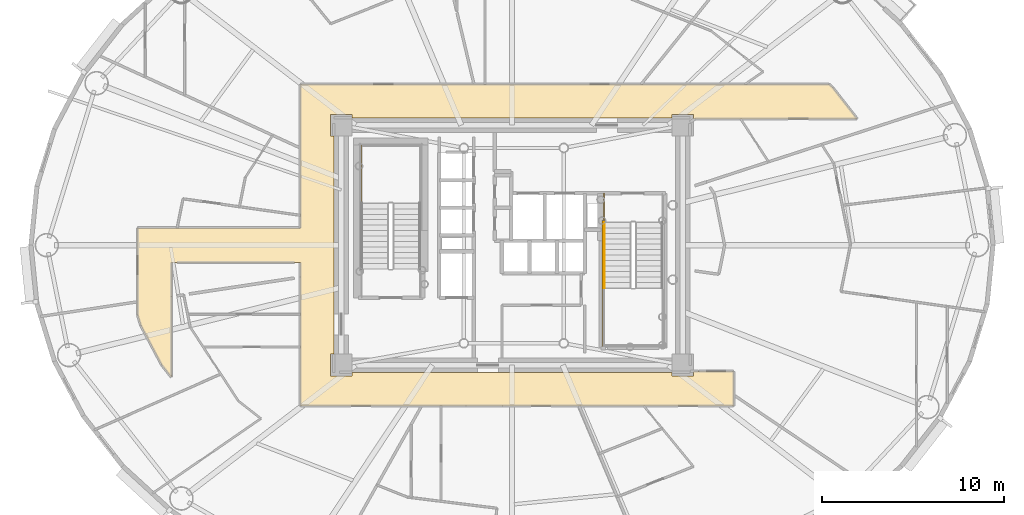
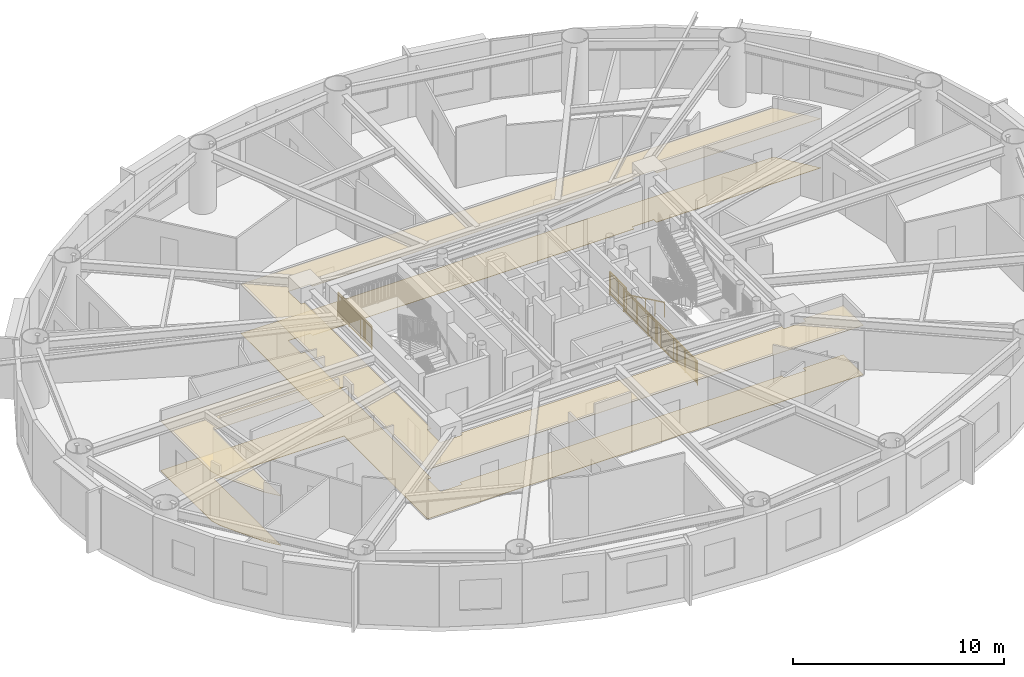
# One storey, part 14 of 18: 4 railings, 2 coverings.
"""IFC4 building model written with IfcOpenShell, lengths in metres."""

from ifc_helpers import new_model, si_unit, direction, frame, origin, origin_2d, place, context, subcontext, project, spatial, polyline, rectangle, outline, extrude, source, transform, mapped, material, layer, layer_set, type_object, element, save


model = new_model("IFC4")

# Units and contexts
model_context = context("Model", 3, precision=1e-05, world=origin(), true_north=direction((0.0, 1.0)))
body_context = subcontext(model_context, "Body", "Model", "MODEL_VIEW")
ifc_project = project(units=[si_unit("LENGTHUNIT", "METRE"), si_unit("AREAUNIT", "SQUARE_METRE"), si_unit("VOLUMEUNIT", "CUBIC_METRE"), si_unit("PLANEANGLEUNIT", "RADIAN"), si_unit("MASSUNIT", "GRAM", prefix="KILO")], contexts=[model_context])

# Site, building, storey
site_placement = place(None, origin())
site = spatial("IfcSite", under=ifc_project, at=site_placement, CompositionType="ELEMENT")
building_placement = place(site_placement, origin())
building = spatial("IfcBuilding", under=site, at=building_placement, Name="Linh Dai School and Residence Tower", CompositionType="ELEMENT")
storey_placement = place(building_placement, frame((0.0, 0.0, 159.89990234375)))
storey = spatial("IfcBuildingStorey", under=building, at=storey_placement, Name="L38", CompositionType="ELEMENT", Elevation=159.89990234375)

# Coverings
ifc_material_1 = material(Name="Mineral Fibre Acoustic Suspended Ceiling", Category="masonry")
ifc_layer_1 = layer(ifc_material_1, 0.02001953125)
ifc_layer_set_1 = layer_set([ifc_layer_1], Name="Mineral Fibre Acoustic Suspended Ceiling")
covering_type_1 = type_object("IfcCoveringType", Name="COV-CEIL-AC-20", PredefinedType="CEILING", material=ifc_layer_set_1)
covering_1_placement = place(storey_placement, frame((0.0, 0.0, 2.85009765625)))
element("IfcCovering", 1, at=covering_1_placement, inside=storey, type_object=covering_type_1, Name="L38 Residential Floor Corridor Suspended Ceiling", PredefinedType="CEILING", context=body_context, shape_type="SweptSolid", body=[
    extrude(outline(polyline([(17.25, 19.734375), (16.720458984375, 20.410888671875), (15.57421875, 22.577880859375), (15.39990234375, 23.14599609375), (15.39990234375, 27.949951171875), (24.35009765625, 27.949951171875), (24.35009765625, 35.85009765625), (53.453857421875, 35.85009765625), (53.6533203125, 35.6669921875), (54.9970703125, 33.949951171875), (46.0, 33.949951171875), (46.0, 34.199951171875), (44.800048828125, 34.199951171875), (44.800048828125, 34.0), (27.199951171875, 34.0), (27.199951171875, 34.199951171875), (26.0, 34.199951171875), (26.0, 33.0), (26.199951171875, 33.0), (26.199951171875, 21.0), (26.0, 21.0), (26.0, 19.800048828125), (27.199951171875, 19.800048828125), (27.199951171875, 20.0), (44.800048828125, 20.0), (44.800048828125, 19.800048828125), (46.0, 19.800048828125), (46.0, 20.050048828125), (48.199951171875, 20.050048828125), (48.199951171875, 18.14990234375), (24.35009765625, 18.14990234375), (24.35009765625, 26.050048828125), (17.25, 26.050048828125), (17.25, 19.734375)])), origin(), (0.0, 0.0, 1.0), 0.02001953125),
])
ifc_material_2 = material(Name="Polished Terrazzo Floor Finish", Category="masonry")
ifc_layer_2 = layer(ifc_material_2, 0.02490234375)
ifc_layer_set_2 = layer_set([ifc_layer_2], Name="Polished Terrazzo Floor Finish")
covering_type_2 = type_object("IfcCoveringType", Name="COV-FLR-TRZ-25", PredefinedType="FLOORING", material=ifc_layer_set_2)
covering_2_placement = place(storey_placement, origin())
element("IfcCovering", 2, at=covering_2_placement, inside=storey, type_object=covering_type_2, Name="L38 Residential Floor Corridor Floor Finish", PredefinedType="FLOORING", context=body_context, shape_type="SweptSolid", body=[
    extrude(outline(polyline([(17.25, 19.734375), (16.720458984375, 20.410888671875), (15.57421875, 22.577880859375), (15.39990234375, 23.14599609375), (15.39990234375, 27.949951171875), (24.35009765625, 27.949951171875), (24.35009765625, 35.85009765625), (53.453857421875, 35.85009765625), (53.6533203125, 35.6669921875), (54.9970703125, 33.949951171875), (46.0, 33.949951171875), (46.0, 34.199951171875), (44.800048828125, 34.199951171875), (44.800048828125, 34.0), (27.199951171875, 34.0), (27.199951171875, 34.199951171875), (26.0, 34.199951171875), (26.0, 33.0), (26.199951171875, 33.0), (26.199951171875, 21.0), (26.0, 21.0), (26.0, 19.800048828125), (27.199951171875, 19.800048828125), (27.199951171875, 20.0), (44.800048828125, 20.0), (44.800048828125, 19.800048828125), (46.0, 19.800048828125), (46.0, 20.050048828125), (48.199951171875, 20.050048828125), (48.199951171875, 18.14990234375), (24.35009765625, 18.14990234375), (24.35009765625, 26.050048828125), (17.25, 26.050048828125), (17.25, 19.734375)])), origin(), (0.0, 0.0, 1.0), 0.02001953125),
])

# Railings
ifc_material_3 = material(Name="Structural Steel S355JR", Category="steel")
railing_type_1 = type_object("IfcRailingType", Name="RL-ST-GUARD-1400", PredefinedType="GUARDRAIL", material=ifc_material_3)
shared_shape_1 = source(origin(), body_context, "Body", "SweptSolid", [
    extrude(rectangle(XDim=0.048095703125, YDim=0.048095703125, at=origin_2d()), frame((0.0, 0.0, 1.3759765625), z_axis=(0.0, 1.0, 0.0), x_axis=(-1.0, 0.0, 0.0)), (0.0, 0.0, 1.0), 3.199951171875),
    extrude(rectangle(XDim=0.048095703125, YDim=0.048095703125, at=origin_2d()), frame((0.0, 0.0, 0.10009765625), z_axis=(0.0, 1.0, 0.0), x_axis=(-1.0, 0.0, 0.0)), (0.0, 0.0, 1.0), 3.199951171875),
    extrude(rectangle(XDim=0.030029296875, YDim=0.030029296875, at=origin_2d()), frame((0.0, 0.0, 1.239990234375), z_axis=(0.0, 1.0, 0.0), x_axis=(-1.0, 0.0, 0.0)), (0.0, 0.0, 1.0), 3.199951171875),
    extrude(rectangle(XDim=0.02001953125, YDim=0.02001953125, at=origin_2d()), frame((0.0, 0.096923828125, 0.10009765625)), (0.0, 0.0, 1.0), 1.251708984375),
    extrude(rectangle(XDim=0.02001953125, YDim=0.02001953125, at=origin_2d()), frame((0.0, 0.19384765625, 0.10009765625)), (0.0, 0.0, 1.0), 1.251708984375),
    extrude(rectangle(XDim=0.02001953125, YDim=0.02001953125, at=origin_2d()), frame((0.0, 0.291015625, 0.10009765625)), (0.0, 0.0, 1.0), 1.251708984375),
    extrude(rectangle(XDim=0.02001953125, YDim=0.02001953125, at=origin_2d()), frame((0.0, 0.387939453125, 0.10009765625)), (0.0, 0.0, 1.0), 1.251708984375),
    extrude(rectangle(XDim=0.02001953125, YDim=0.02001953125, at=origin_2d()), frame((0.0, 0.48486328125, 0.10009765625)), (0.0, 0.0, 1.0), 1.251708984375),
    extrude(rectangle(XDim=0.02001953125, YDim=0.02001953125, at=origin_2d()), frame((0.0, 0.581787109375, 0.10009765625)), (0.0, 0.0, 1.0), 1.251708984375),
    extrude(rectangle(XDim=0.02001953125, YDim=0.02001953125, at=origin_2d()), frame((0.0, 0.6787109375, 0.10009765625)), (0.0, 0.0, 1.0), 1.251708984375),
    extrude(rectangle(XDim=0.02001953125, YDim=0.02001953125, at=origin_2d()), frame((0.0, 0.775634765625, 0.10009765625)), (0.0, 0.0, 1.0), 1.251708984375),
    extrude(rectangle(XDim=0.02001953125, YDim=0.02001953125, at=origin_2d()), frame((0.0, 0.872802734375, 0.10009765625)), (0.0, 0.0, 1.0), 1.251708984375),
    extrude(rectangle(XDim=0.02001953125, YDim=0.02001953125, at=origin_2d()), frame((0.0, 0.9697265625, 0.10009765625)), (0.0, 0.0, 1.0), 1.251708984375),
    extrude(rectangle(XDim=0.02001953125, YDim=0.02001953125, at=origin_2d()), frame((0.0, 1.16357421875, 0.10009765625)), (0.0, 0.0, 1.0), 1.251708984375),
    extrude(rectangle(XDim=0.02001953125, YDim=0.02001953125, at=origin_2d()), frame((0.0, 1.260498046875, 0.10009765625)), (0.0, 0.0, 1.0), 1.251708984375),
    extrude(rectangle(XDim=0.02001953125, YDim=0.02001953125, at=origin_2d()), frame((0.0, 1.357666015625, 0.10009765625)), (0.0, 0.0, 1.0), 1.251708984375),
    extrude(rectangle(XDim=0.02001953125, YDim=0.02001953125, at=origin_2d()), frame((0.0, 1.45458984375, 0.10009765625)), (0.0, 0.0, 1.0), 1.251708984375),
    extrude(rectangle(XDim=0.02001953125, YDim=0.02001953125, at=origin_2d()), frame((0.0, 1.551513671875, 0.10009765625)), (0.0, 0.0, 1.0), 1.251708984375),
    extrude(rectangle(XDim=0.02001953125, YDim=0.02001953125, at=origin_2d()), frame((0.0, 1.6484375, 0.10009765625)), (0.0, 0.0, 1.0), 1.251708984375),
    extrude(rectangle(XDim=0.02001953125, YDim=0.02001953125, at=origin_2d()), frame((0.0, 1.745361328125, 0.10009765625)), (0.0, 0.0, 1.0), 1.251708984375),
    extrude(rectangle(XDim=0.02001953125, YDim=0.02001953125, at=origin_2d()), frame((0.0, 1.84228515625, 0.10009765625)), (0.0, 0.0, 1.0), 1.251708984375),
    extrude(rectangle(XDim=0.02001953125, YDim=0.02001953125, at=origin_2d()), frame((0.0, 1.939453125, 0.10009765625)), (0.0, 0.0, 1.0), 1.251708984375),
    extrude(rectangle(XDim=0.02001953125, YDim=0.02001953125, at=origin_2d()), frame((0.0, 2.036376953125, 0.10009765625)), (0.0, 0.0, 1.0), 1.251708984375),
    extrude(rectangle(XDim=0.02001953125, YDim=0.02001953125, at=origin_2d()), frame((0.0, 2.230224609375, 0.10009765625)), (0.0, 0.0, 1.0), 1.251708984375),
    extrude(rectangle(XDim=0.02001953125, YDim=0.02001953125, at=origin_2d()), frame((0.0, 2.3271484375, 0.10009765625)), (0.0, 0.0, 1.0), 1.251708984375),
    extrude(rectangle(XDim=0.02001953125, YDim=0.02001953125, at=origin_2d()), frame((0.0, 2.42431640625, 0.10009765625)), (0.0, 0.0, 1.0), 1.251708984375),
    extrude(rectangle(XDim=0.02001953125, YDim=0.02001953125, at=origin_2d()), frame((0.0, 2.521240234375, 0.10009765625)), (0.0, 0.0, 1.0), 1.251708984375),
    extrude(rectangle(XDim=0.02001953125, YDim=0.02001953125, at=origin_2d()), frame((0.0, 2.6181640625, 0.10009765625)), (0.0, 0.0, 1.0), 1.251708984375),
    extrude(rectangle(XDim=0.02001953125, YDim=0.02001953125, at=origin_2d()), frame((0.0, 2.715087890625, 0.10009765625)), (0.0, 0.0, 1.0), 1.251708984375),
    extrude(rectangle(XDim=0.02001953125, YDim=0.02001953125, at=origin_2d()), frame((0.0, 2.81201171875, 0.10009765625)), (0.0, 0.0, 1.0), 1.251708984375),
    extrude(rectangle(XDim=0.02001953125, YDim=0.02001953125, at=origin_2d()), frame((0.0, 2.908935546875, 0.10009765625)), (0.0, 0.0, 1.0), 1.251708984375),
    extrude(rectangle(XDim=0.02001953125, YDim=0.02001953125, at=origin_2d()), frame((0.0, 3.006103515625, 0.10009765625)), (0.0, 0.0, 1.0), 1.251708984375),
    extrude(rectangle(XDim=0.02001953125, YDim=0.02001953125, at=origin_2d()), frame((0.0, 3.10302734375, 0.10009765625)), (0.0, 0.0, 1.0), 1.251708984375),
    extrude(rectangle(XDim=0.0419921875, YDim=0.0419921875, at=origin_2d()), origin(), (0.0, 0.0, 1.0), 1.3759765625),
    extrude(rectangle(XDim=0.0419921875, YDim=0.0419921875, at=origin_2d()), frame((0.0, 1.066650390625, 0.0)), (0.0, 0.0, 1.0), 1.3759765625),
    extrude(rectangle(XDim=0.0419921875, YDim=0.0419921875, at=origin_2d()), frame((0.0, 2.13330078125, 0.0)), (0.0, 0.0, 1.0), 1.3759765625),
    extrude(rectangle(XDim=0.0419921875, YDim=0.0419921875, at=origin_2d()), frame((0.0, 3.199951171875, 0.0)), (0.0, 0.0, 1.0), 1.3759765625),
])
railing_1_placement = place(storey_placement, frame((27.72998046875, 29.300048828125, 1.875)))
element("IfcRailing", 3, at=railing_1_placement, inside=storey, type_object=railing_type_1, Name="L38 ST1 stair guard 4", PredefinedType="GUARDRAIL", context=body_context, shape_type="MappedRepresentation", body=[
    mapped(shared_shape_1, transform((0.0, 0.0, 0.0), x_axis=(1.0, 0.0, 0.0), y_axis=(0.0, 1.0, 0.0), z_axis=(0.0, 0.0, 1.0), scale=1.0)),
])
ifc_material_4 = material(Name="Brushed Stainless Steel Handrail", Category="steel")
railing_type_2 = type_object("IfcRailingType", Name="RL-ST-HANDRAIL-900", PredefinedType="HANDRAIL", material=ifc_material_4)
shared_shape_2 = source(origin(), body_context, "Body", "SweptSolid", [
    extrude(rectangle(XDim=0.048095703125, YDim=0.048095703125, at=origin_2d()), frame((0.0, 0.0, 0.8759765625), z_axis=(0.0, -0.901262522062, 0.433273431364), x_axis=(1.0, 0.0, 0.0)), (0.0, 0.0, 1.0), 3.994384765625),
    extrude(rectangle(XDim=0.0419921875, YDim=0.0419921875, at=origin_2d()), origin(), (0.0, 0.0, 1.0), 0.8759765625),
    extrude(rectangle(XDim=0.0419921875, YDim=0.0419921875, at=origin_2d()), frame((0.0, -0.89990234375, 0.4326171875)), (0.0, 0.0, 1.0), 0.8759765625),
    extrude(rectangle(XDim=0.0419921875, YDim=0.0419921875, at=origin_2d()), frame((0.0, -1.800048828125, 0.865234375)), (0.0, 0.0, 1.0), 0.8759765625),
    extrude(rectangle(XDim=0.0419921875, YDim=0.0419921875, at=origin_2d()), frame((0.0, -2.7001953125, 1.298095703125)), (0.0, 0.0, 1.0), 0.8759765625),
    extrude(rectangle(XDim=0.0419921875, YDim=0.0419921875, at=origin_2d()), frame((0.0, -3.60009765625, 1.730712890625)), (0.0, 0.0, 1.0), 0.8759765625),
])
railing_2_placement = place(storey_placement, frame((41.070068359375, 28.25, 0.144287109375)))
element("IfcRailing", 4, at=railing_2_placement, inside=storey, type_object=railing_type_2, Name="L38 ST2 stair handrail 1", PredefinedType="HANDRAIL", context=body_context, shape_type="MappedRepresentation", body=[
    mapped(shared_shape_2, transform((0.0, 0.0, 0.0), x_axis=(1.0, 0.0, 0.0), y_axis=(0.0, 1.0, 0.0), z_axis=(0.0, 0.0, 1.0), scale=1.0)),
])
shared_shape_3 = source(origin(), body_context, "Body", "SweptSolid", [
    extrude(rectangle(XDim=0.048095703125, YDim=0.048095703125, at=origin_2d()), frame((0.0, 0.0, 1.3759765625), z_axis=(0.0, -1.0, 0.0), x_axis=(1.0, 0.0, 0.0)), (0.0, 0.0, 1.0), 1.60009765625),
    extrude(rectangle(XDim=0.048095703125, YDim=0.048095703125, at=origin_2d()), frame((0.0, 0.0, 0.10009765625), z_axis=(0.0, -1.0, 0.0), x_axis=(1.0, 0.0, 0.0)), (0.0, 0.0, 1.0), 1.60009765625),
    extrude(rectangle(XDim=0.030029296875, YDim=0.030029296875, at=origin_2d()), frame((0.0, 0.0, 1.239990234375), z_axis=(0.0, -1.0, 0.0), x_axis=(1.0, 0.0, 0.0)), (0.0, 0.0, 1.0), 1.60009765625),
    extrude(rectangle(XDim=0.02001953125, YDim=0.02001953125, at=origin_2d()), frame((0.0, -0.09423828125, 0.10009765625)), (0.0, 0.0, 1.0), 1.251708984375),
    extrude(rectangle(XDim=0.02001953125, YDim=0.02001953125, at=origin_2d()), frame((0.0, -0.188232421875, 0.10009765625)), (0.0, 0.0, 1.0), 1.251708984375),
    extrude(rectangle(XDim=0.02001953125, YDim=0.02001953125, at=origin_2d()), frame((0.0, -0.282470703125, 0.10009765625)), (0.0, 0.0, 1.0), 1.251708984375),
    extrude(rectangle(XDim=0.02001953125, YDim=0.02001953125, at=origin_2d()), frame((0.0, -0.37646484375, 0.10009765625)), (0.0, 0.0, 1.0), 1.251708984375),
    extrude(rectangle(XDim=0.02001953125, YDim=0.02001953125, at=origin_2d()), frame((0.0, -0.470703125, 0.10009765625)), (0.0, 0.0, 1.0), 1.251708984375),
    extrude(rectangle(XDim=0.02001953125, YDim=0.02001953125, at=origin_2d()), frame((0.0, -0.564697265625, 0.10009765625)), (0.0, 0.0, 1.0), 1.251708984375),
    extrude(rectangle(XDim=0.02001953125, YDim=0.02001953125, at=origin_2d()), frame((0.0, -0.658935546875, 0.10009765625)), (0.0, 0.0, 1.0), 1.251708984375),
    extrude(rectangle(XDim=0.02001953125, YDim=0.02001953125, at=origin_2d()), frame((0.0, -0.7529296875, 0.10009765625)), (0.0, 0.0, 1.0), 1.251708984375),
    extrude(rectangle(XDim=0.02001953125, YDim=0.02001953125, at=origin_2d()), frame((0.0, -0.84716796875, 0.10009765625)), (0.0, 0.0, 1.0), 1.251708984375),
    extrude(rectangle(XDim=0.02001953125, YDim=0.02001953125, at=origin_2d()), frame((0.0, -0.941162109375, 0.10009765625)), (0.0, 0.0, 1.0), 1.251708984375),
    extrude(rectangle(XDim=0.02001953125, YDim=0.02001953125, at=origin_2d()), frame((0.0, -1.035400390625, 0.10009765625)), (0.0, 0.0, 1.0), 1.251708984375),
    extrude(rectangle(XDim=0.02001953125, YDim=0.02001953125, at=origin_2d()), frame((0.0, -1.12939453125, 0.10009765625)), (0.0, 0.0, 1.0), 1.251708984375),
    extrude(rectangle(XDim=0.02001953125, YDim=0.02001953125, at=origin_2d()), frame((0.0, -1.2236328125, 0.10009765625)), (0.0, 0.0, 1.0), 1.251708984375),
    extrude(rectangle(XDim=0.02001953125, YDim=0.02001953125, at=origin_2d()), frame((0.0, -1.317626953125, 0.10009765625)), (0.0, 0.0, 1.0), 1.251708984375),
    extrude(rectangle(XDim=0.02001953125, YDim=0.02001953125, at=origin_2d()), frame((0.0, -1.411865234375, 0.10009765625)), (0.0, 0.0, 1.0), 1.251708984375),
    extrude(rectangle(XDim=0.02001953125, YDim=0.02001953125, at=origin_2d()), frame((0.0, -1.505859375, 0.10009765625)), (0.0, 0.0, 1.0), 1.251708984375),
    extrude(rectangle(XDim=0.0419921875, YDim=0.0419921875, at=origin_2d()), origin(), (0.0, 0.0, 1.0), 1.3759765625),
    extrude(rectangle(XDim=0.0419921875, YDim=0.0419921875, at=origin_2d()), frame((0.0, -0.800048828125, 0.0)), (0.0, 0.0, 1.0), 1.3759765625),
    extrude(rectangle(XDim=0.0419921875, YDim=0.0419921875, at=origin_2d()), frame((0.0, -1.60009765625, 0.0)), (0.0, 0.0, 1.0), 1.3759765625),
])
railing_3_placement = place(storey_placement, frame((41.070068359375, 29.85009765625, 0.0)))
element("IfcRailing", 5, at=railing_3_placement, inside=storey, type_object=railing_type_1, Name="L38 ST2 stair guard 8", PredefinedType="GUARDRAIL", context=body_context, shape_type="MappedRepresentation", body=[
    mapped(shared_shape_3, transform((0.0, 0.0, 0.0), x_axis=(1.0, 0.0, 0.0), y_axis=(0.0, 1.0, 0.0), z_axis=(0.0, 0.0, 1.0), scale=1.0)),
])
shared_shape_4 = source(origin(), body_context, "Body", "SweptSolid", [
    extrude(rectangle(XDim=0.048095703125, YDim=0.048095703125, at=origin_2d()), frame((0.0, 0.0, 1.3759765625), z_axis=(0.0, -1.0, 0.0), x_axis=(1.0, 0.0, 0.0)), (0.0, 0.0, 1.0), 7.0),
    extrude(rectangle(XDim=0.048095703125, YDim=0.048095703125, at=origin_2d()), frame((0.0, 0.0, 0.10009765625), z_axis=(0.0, -1.0, 0.0), x_axis=(1.0, 0.0, 0.0)), (0.0, 0.0, 1.0), 7.0),
    extrude(rectangle(XDim=0.030029296875, YDim=0.030029296875, at=origin_2d()), frame((0.0, 0.0, 1.239990234375), z_axis=(0.0, -1.0, 0.0), x_axis=(1.0, 0.0, 0.0)), (0.0, 0.0, 1.0), 7.0),
    extrude(rectangle(XDim=0.02001953125, YDim=0.02001953125, at=origin_2d()), frame((0.0, -0.09716796875, 0.10009765625)), (0.0, 0.0, 1.0), 1.251708984375),
    extrude(rectangle(XDim=0.02001953125, YDim=0.02001953125, at=origin_2d()), frame((0.0, -0.1943359375, 0.10009765625)), (0.0, 0.0, 1.0), 1.251708984375),
    extrude(rectangle(XDim=0.02001953125, YDim=0.02001953125, at=origin_2d()), frame((0.0, -0.291748046875, 0.10009765625)), (0.0, 0.0, 1.0), 1.251708984375),
    extrude(rectangle(XDim=0.02001953125, YDim=0.02001953125, at=origin_2d()), frame((0.0, -0.388916015625, 0.10009765625)), (0.0, 0.0, 1.0), 1.251708984375),
    extrude(rectangle(XDim=0.02001953125, YDim=0.02001953125, at=origin_2d()), frame((0.0, -0.486083984375, 0.10009765625)), (0.0, 0.0, 1.0), 1.251708984375),
    extrude(rectangle(XDim=0.02001953125, YDim=0.02001953125, at=origin_2d()), frame((0.0, -0.583251953125, 0.10009765625)), (0.0, 0.0, 1.0), 1.251708984375),
    extrude(rectangle(XDim=0.02001953125, YDim=0.02001953125, at=origin_2d()), frame((0.0, -0.6806640625, 0.10009765625)), (0.0, 0.0, 1.0), 1.251708984375),
    extrude(rectangle(XDim=0.02001953125, YDim=0.02001953125, at=origin_2d()), frame((0.0, -0.77783203125, 0.10009765625)), (0.0, 0.0, 1.0), 1.251708984375),
    extrude(rectangle(XDim=0.02001953125, YDim=0.02001953125, at=origin_2d()), frame((0.0, -0.875, 0.10009765625)), (0.0, 0.0, 1.0), 1.251708984375),
    extrude(rectangle(XDim=0.02001953125, YDim=0.02001953125, at=origin_2d()), frame((0.0, -0.97216796875, 0.10009765625)), (0.0, 0.0, 1.0), 1.251708984375),
    extrude(rectangle(XDim=0.02001953125, YDim=0.02001953125, at=origin_2d()), frame((0.0, -1.0693359375, 0.10009765625)), (0.0, 0.0, 1.0), 1.251708984375),
    extrude(rectangle(XDim=0.02001953125, YDim=0.02001953125, at=origin_2d()), frame((0.0, -1.263916015625, 0.10009765625)), (0.0, 0.0, 1.0), 1.251708984375),
    extrude(rectangle(XDim=0.02001953125, YDim=0.02001953125, at=origin_2d()), frame((0.0, -1.361083984375, 0.10009765625)), (0.0, 0.0, 1.0), 1.251708984375),
    extrude(rectangle(XDim=0.02001953125, YDim=0.02001953125, at=origin_2d()), frame((0.0, -1.458251953125, 0.10009765625)), (0.0, 0.0, 1.0), 1.251708984375),
    extrude(rectangle(XDim=0.02001953125, YDim=0.02001953125, at=origin_2d()), frame((0.0, -1.5556640625, 0.10009765625)), (0.0, 0.0, 1.0), 1.251708984375),
    extrude(rectangle(XDim=0.02001953125, YDim=0.02001953125, at=origin_2d()), frame((0.0, -1.65283203125, 0.10009765625)), (0.0, 0.0, 1.0), 1.251708984375),
    extrude(rectangle(XDim=0.02001953125, YDim=0.02001953125, at=origin_2d()), frame((0.0, -1.75, 0.10009765625)), (0.0, 0.0, 1.0), 1.251708984375),
    extrude(rectangle(XDim=0.02001953125, YDim=0.02001953125, at=origin_2d()), frame((0.0, -1.84716796875, 0.10009765625)), (0.0, 0.0, 1.0), 1.251708984375),
    extrude(rectangle(XDim=0.02001953125, YDim=0.02001953125, at=origin_2d()), frame((0.0, -1.9443359375, 0.10009765625)), (0.0, 0.0, 1.0), 1.251708984375),
    extrude(rectangle(XDim=0.02001953125, YDim=0.02001953125, at=origin_2d()), frame((0.0, -2.041748046875, 0.10009765625)), (0.0, 0.0, 1.0), 1.251708984375),
    extrude(rectangle(XDim=0.02001953125, YDim=0.02001953125, at=origin_2d()), frame((0.0, -2.138916015625, 0.10009765625)), (0.0, 0.0, 1.0), 1.251708984375),
    extrude(rectangle(XDim=0.02001953125, YDim=0.02001953125, at=origin_2d()), frame((0.0, -2.236083984375, 0.10009765625)), (0.0, 0.0, 1.0), 1.251708984375),
    extrude(rectangle(XDim=0.02001953125, YDim=0.02001953125, at=origin_2d()), frame((0.0, -2.4306640625, 0.10009765625)), (0.0, 0.0, 1.0), 1.251708984375),
    extrude(rectangle(XDim=0.02001953125, YDim=0.02001953125, at=origin_2d()), frame((0.0, -2.52783203125, 0.10009765625)), (0.0, 0.0, 1.0), 1.251708984375),
    extrude(rectangle(XDim=0.02001953125, YDim=0.02001953125, at=origin_2d()), frame((0.0, -2.625, 0.10009765625)), (0.0, 0.0, 1.0), 1.251708984375),
    extrude(rectangle(XDim=0.02001953125, YDim=0.02001953125, at=origin_2d()), frame((0.0, -2.72216796875, 0.10009765625)), (0.0, 0.0, 1.0), 1.251708984375),
    extrude(rectangle(XDim=0.02001953125, YDim=0.02001953125, at=origin_2d()), frame((0.0, -2.8193359375, 0.10009765625)), (0.0, 0.0, 1.0), 1.251708984375),
    extrude(rectangle(XDim=0.02001953125, YDim=0.02001953125, at=origin_2d()), frame((0.0, -2.916748046875, 0.10009765625)), (0.0, 0.0, 1.0), 1.251708984375),
    extrude(rectangle(XDim=0.02001953125, YDim=0.02001953125, at=origin_2d()), frame((0.0, -3.013916015625, 0.10009765625)), (0.0, 0.0, 1.0), 1.251708984375),
    extrude(rectangle(XDim=0.02001953125, YDim=0.02001953125, at=origin_2d()), frame((0.0, -3.111083984375, 0.10009765625)), (0.0, 0.0, 1.0), 1.251708984375),
    extrude(rectangle(XDim=0.02001953125, YDim=0.02001953125, at=origin_2d()), frame((0.0, -3.208251953125, 0.10009765625)), (0.0, 0.0, 1.0), 1.251708984375),
    extrude(rectangle(XDim=0.02001953125, YDim=0.02001953125, at=origin_2d()), frame((0.0, -3.3056640625, 0.10009765625)), (0.0, 0.0, 1.0), 1.251708984375),
    extrude(rectangle(XDim=0.02001953125, YDim=0.02001953125, at=origin_2d()), frame((0.0, -3.40283203125, 0.10009765625)), (0.0, 0.0, 1.0), 1.251708984375),
    extrude(rectangle(XDim=0.02001953125, YDim=0.02001953125, at=origin_2d()), frame((0.0, -3.59716796875, 0.10009765625)), (0.0, 0.0, 1.0), 1.251708984375),
    extrude(rectangle(XDim=0.02001953125, YDim=0.02001953125, at=origin_2d()), frame((0.0, -3.6943359375, 0.10009765625)), (0.0, 0.0, 1.0), 1.251708984375),
    extrude(rectangle(XDim=0.02001953125, YDim=0.02001953125, at=origin_2d()), frame((0.0, -3.791748046875, 0.10009765625)), (0.0, 0.0, 1.0), 1.251708984375),
    extrude(rectangle(XDim=0.02001953125, YDim=0.02001953125, at=origin_2d()), frame((0.0, -3.888916015625, 0.10009765625)), (0.0, 0.0, 1.0), 1.251708984375),
    extrude(rectangle(XDim=0.02001953125, YDim=0.02001953125, at=origin_2d()), frame((0.0, -3.986083984375, 0.10009765625)), (0.0, 0.0, 1.0), 1.251708984375),
    extrude(rectangle(XDim=0.02001953125, YDim=0.02001953125, at=origin_2d()), frame((0.0, -4.083251953125, 0.10009765625)), (0.0, 0.0, 1.0), 1.251708984375),
    extrude(rectangle(XDim=0.02001953125, YDim=0.02001953125, at=origin_2d()), frame((0.0, -4.1806640625, 0.10009765625)), (0.0, 0.0, 1.0), 1.251708984375),
    extrude(rectangle(XDim=0.02001953125, YDim=0.02001953125, at=origin_2d()), frame((0.0, -4.27783203125, 0.10009765625)), (0.0, 0.0, 1.0), 1.251708984375),
    extrude(rectangle(XDim=0.02001953125, YDim=0.02001953125, at=origin_2d()), frame((0.0, -4.375, 0.10009765625)), (0.0, 0.0, 1.0), 1.251708984375),
    extrude(rectangle(XDim=0.02001953125, YDim=0.02001953125, at=origin_2d()), frame((0.0, -4.47216796875, 0.10009765625)), (0.0, 0.0, 1.0), 1.251708984375),
    extrude(rectangle(XDim=0.02001953125, YDim=0.02001953125, at=origin_2d()), frame((0.0, -4.5693359375, 0.10009765625)), (0.0, 0.0, 1.0), 1.251708984375),
    extrude(rectangle(XDim=0.02001953125, YDim=0.02001953125, at=origin_2d()), frame((0.0, -4.763916015625, 0.10009765625)), (0.0, 0.0, 1.0), 1.251708984375),
    extrude(rectangle(XDim=0.02001953125, YDim=0.02001953125, at=origin_2d()), frame((0.0, -4.861083984375, 0.10009765625)), (0.0, 0.0, 1.0), 1.251708984375),
    extrude(rectangle(XDim=0.02001953125, YDim=0.02001953125, at=origin_2d()), frame((0.0, -4.958251953125, 0.10009765625)), (0.0, 0.0, 1.0), 1.251708984375),
    extrude(rectangle(XDim=0.02001953125, YDim=0.02001953125, at=origin_2d()), frame((0.0, -5.0556640625, 0.10009765625)), (0.0, 0.0, 1.0), 1.251708984375),
    extrude(rectangle(XDim=0.02001953125, YDim=0.02001953125, at=origin_2d()), frame((0.0, -5.15283203125, 0.10009765625)), (0.0, 0.0, 1.0), 1.251708984375),
    extrude(rectangle(XDim=0.02001953125, YDim=0.02001953125, at=origin_2d()), frame((0.0, -5.25, 0.10009765625)), (0.0, 0.0, 1.0), 1.251708984375),
    extrude(rectangle(XDim=0.02001953125, YDim=0.02001953125, at=origin_2d()), frame((0.0, -5.34716796875, 0.10009765625)), (0.0, 0.0, 1.0), 1.251708984375),
    extrude(rectangle(XDim=0.02001953125, YDim=0.02001953125, at=origin_2d()), frame((0.0, -5.4443359375, 0.10009765625)), (0.0, 0.0, 1.0), 1.251708984375),
    extrude(rectangle(XDim=0.02001953125, YDim=0.02001953125, at=origin_2d()), frame((0.0, -5.541748046875, 0.10009765625)), (0.0, 0.0, 1.0), 1.251708984375),
    extrude(rectangle(XDim=0.02001953125, YDim=0.02001953125, at=origin_2d()), frame((0.0, -5.638916015625, 0.10009765625)), (0.0, 0.0, 1.0), 1.251708984375),
    extrude(rectangle(XDim=0.02001953125, YDim=0.02001953125, at=origin_2d()), frame((0.0, -5.736083984375, 0.10009765625)), (0.0, 0.0, 1.0), 1.251708984375),
    extrude(rectangle(XDim=0.02001953125, YDim=0.02001953125, at=origin_2d()), frame((0.0, -5.9306640625, 0.10009765625)), (0.0, 0.0, 1.0), 1.251708984375),
    extrude(rectangle(XDim=0.02001953125, YDim=0.02001953125, at=origin_2d()), frame((0.0, -6.02783203125, 0.10009765625)), (0.0, 0.0, 1.0), 1.251708984375),
    extrude(rectangle(XDim=0.02001953125, YDim=0.02001953125, at=origin_2d()), frame((0.0, -6.125, 0.10009765625)), (0.0, 0.0, 1.0), 1.251708984375),
    extrude(rectangle(XDim=0.02001953125, YDim=0.02001953125, at=origin_2d()), frame((0.0, -6.22216796875, 0.10009765625)), (0.0, 0.0, 1.0), 1.251708984375),
    extrude(rectangle(XDim=0.02001953125, YDim=0.02001953125, at=origin_2d()), frame((0.0, -6.3193359375, 0.10009765625)), (0.0, 0.0, 1.0), 1.251708984375),
    extrude(rectangle(XDim=0.02001953125, YDim=0.02001953125, at=origin_2d()), frame((0.0, -6.416748046875, 0.10009765625)), (0.0, 0.0, 1.0), 1.251708984375),
    extrude(rectangle(XDim=0.02001953125, YDim=0.02001953125, at=origin_2d()), frame((0.0, -6.513916015625, 0.10009765625)), (0.0, 0.0, 1.0), 1.251708984375),
    extrude(rectangle(XDim=0.02001953125, YDim=0.02001953125, at=origin_2d()), frame((0.0, -6.611083984375, 0.10009765625)), (0.0, 0.0, 1.0), 1.251708984375),
    extrude(rectangle(XDim=0.02001953125, YDim=0.02001953125, at=origin_2d()), frame((0.0, -6.708251953125, 0.10009765625)), (0.0, 0.0, 1.0), 1.251708984375),
    extrude(rectangle(XDim=0.02001953125, YDim=0.02001953125, at=origin_2d()), frame((0.0, -6.8056640625, 0.10009765625)), (0.0, 0.0, 1.0), 1.251708984375),
    extrude(rectangle(XDim=0.02001953125, YDim=0.02001953125, at=origin_2d()), frame((0.0, -6.90283203125, 0.10009765625)), (0.0, 0.0, 1.0), 1.251708984375),
    extrude(rectangle(XDim=0.0419921875, YDim=0.0419921875, at=origin_2d()), origin(), (0.0, 0.0, 1.0), 1.3759765625),
    extrude(rectangle(XDim=0.0419921875, YDim=0.0419921875, at=origin_2d()), frame((0.0, -1.166748046875, 0.0)), (0.0, 0.0, 1.0), 1.3759765625),
    extrude(rectangle(XDim=0.0419921875, YDim=0.0419921875, at=origin_2d()), frame((0.0, -2.333251953125, 0.0)), (0.0, 0.0, 1.0), 1.3759765625),
    extrude(rectangle(XDim=0.0419921875, YDim=0.0419921875, at=origin_2d()), frame((0.0, -3.5, 0.0)), (0.0, 0.0, 1.0), 1.3759765625),
    extrude(rectangle(XDim=0.0419921875, YDim=0.0419921875, at=origin_2d()), frame((0.0, -4.666748046875, 0.0)), (0.0, 0.0, 1.0), 1.3759765625),
    extrude(rectangle(XDim=0.0419921875, YDim=0.0419921875, at=origin_2d()), frame((0.0, -5.833251953125, 0.0)), (0.0, 0.0, 1.0), 1.3759765625),
    extrude(rectangle(XDim=0.0419921875, YDim=0.0419921875, at=origin_2d()), frame((0.0, -7.0, 0.0)), (0.0, 0.0, 1.0), 1.3759765625),
])
railing_4_placement = place(storey_placement, frame((40.969970703125, 28.35009765625, 0.0)))
element("IfcRailing", 6, at=railing_4_placement, inside=storey, type_object=railing_type_1, Name="L38 ST2 stair guard 10", PredefinedType="GUARDRAIL", context=body_context, shape_type="MappedRepresentation", body=[
    mapped(shared_shape_4, transform((0.0, 0.0, 0.0), x_axis=(1.0, 0.0, 0.0), y_axis=(0.0, 1.0, 0.0), z_axis=(0.0, 0.0, 1.0), scale=1.0)),
])

save(model, "model.ifc")
